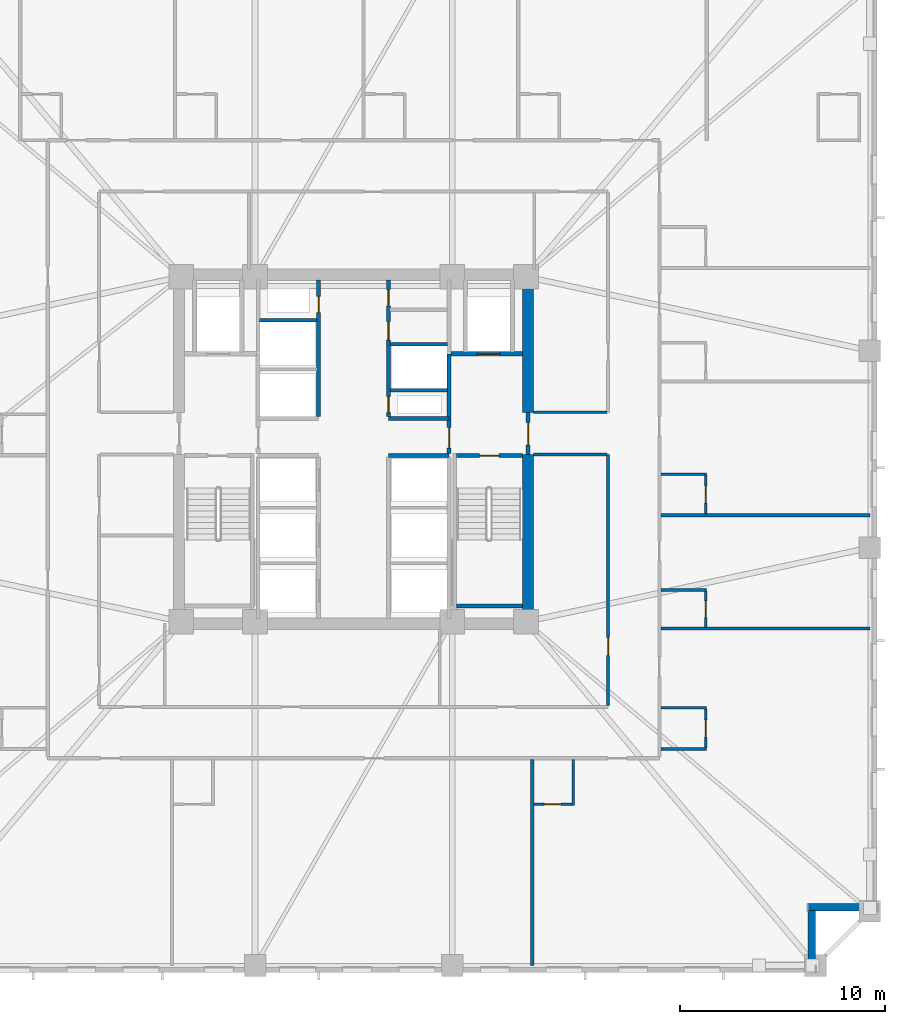
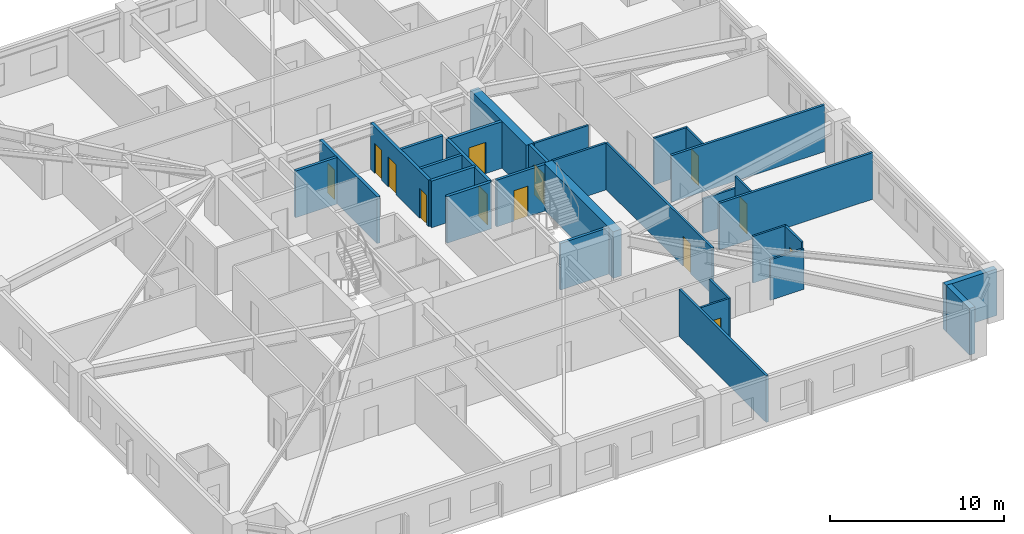
# One storey, part 4 of 11: 31 walls, 13 doors, 13 openings.
"""IFC4 building model written with IfcOpenShell, lengths in metres."""

from ifc_helpers import new_model, si_unit, direction, frame, frame_2d, origin, place, context, subcontext, project, spatial, rectangle, extrude, material, layer, layer_set, type_object, element, fill, save


model = new_model("IFC4")

# Units and contexts
model_context = context("Model", 3, precision=1e-05, world=origin(), true_north=direction((0.0, 1.0)))
body_context = subcontext(model_context, "Body", "Model", "MODEL_VIEW")
ifc_project = project(units=[si_unit("LENGTHUNIT", "METRE"), si_unit("AREAUNIT", "SQUARE_METRE"), si_unit("VOLUMEUNIT", "CUBIC_METRE"), si_unit("PLANEANGLEUNIT", "RADIAN"), si_unit("MASSUNIT", "GRAM", prefix="KILO")], contexts=[model_context])

# Site, building, storey
site_placement = place(None, origin())
site = spatial("IfcSite", under=ifc_project, at=site_placement, CompositionType="ELEMENT")
building_placement = place(site_placement, origin())
building = spatial("IfcBuilding", under=site, at=building_placement, Name="Cairnveth Concourse Tower", CompositionType="ELEMENT")
storey_placement = place(building_placement, frame((0.0, 0.0, 86.5)))
storey = spatial("IfcBuildingStorey", under=building, at=storey_placement, Name="L23", CompositionType="ELEMENT", Elevation=86.5)

# Walls
ifc_material_1 = material(Name="Gypsum Plasterboard Partition", Category="gypsum")
ifc_layer_1 = layer(ifc_material_1, 0.159912109375)
ifc_layer_set_1 = layer_set([ifc_layer_1], Name="Gypsum Plasterboard Partition")
wall_type_1 = type_object("IfcWallType", Name="ACOUSTIC PARTY WALL 180", PredefinedType="PARTITIONING", material=ifc_layer_set_1)
wall_1_placement = place(storey_placement, frame((60.697509765625, 13.844970703125, 0.0), z_axis=(0.0, 0.0, 1.0), x_axis=(0.0, 1.0, 0.0)))
element("IfcWall", 1, at=wall_1_placement, inside=storey, type_object=wall_type_1, Name="Interior Wall IW-L23-064", PredefinedType="PARTITIONING", context=body_context, shape_type="SweptSolid", body=[
    extrude(rectangle(XDim=10.0400390625, YDim=0.159912109375, at=frame_2d((5.02001953125, 0.0))), origin(), (0.0, 0.0, 1.0), 3.280029296875),
])
for number, where, z_axis, x_axis, name in (
    (2, (66.965087890625, 30.262451171875, 0.0), (0.0, 0.0, 1.0), (1.0, 0.0, 0.0), "Interior Wall IW-L23-098"),
    (3, (66.965087890625, 35.78759765625, 0.0), (0.0, 0.0, 1.0), (1.0, 0.0, 0.0), "Interior Wall IW-L23-101"),
):
    element("IfcWall", number, at=place(storey_placement, frame(where, z_axis=z_axis, x_axis=x_axis)), inside=storey, type_object=wall_type_1, Name=name, PredefinedType="PARTITIONING", context=body_context, shape_type="SweptSolid", body=[
        extrude(rectangle(XDim=10.18994140625, YDim=0.159912109375, at=frame_2d((5.094970703125, 0.0))), origin(), (0.0, 0.0, 1.0), 3.280029296875),
    ])
ifc_material_2 = material(Name="Concrete N80 (80 MPa)", Category="concrete")
ifc_layer_2 = layer(ifc_material_2, 0.550048828125)
ifc_layer_set_2 = layer_set([ifc_layer_2], Name="Concrete N80 (80 MPa)")
wall_type_2 = type_object("IfcWallType", Name="CORE SHEAR WALL 550", PredefinedType="SHEAR", material=ifc_layer_set_2)
wall_2_placement = place(storey_placement, frame((60.5, 30.764892578125, 0.0), z_axis=(0.0, 0.0, 1.0), x_axis=(0.0, 1.0, 0.0)))
element("IfcWall", 4, at=wall_2_placement, inside=storey, type_object=wall_type_2, Name="Core East Shear Wall S L23", PredefinedType="SHEAR", context=body_context, shape_type="SweptSolid", body=[
    extrude(rectangle(XDim=7.985107421875, YDim=0.550048828125, at=frame_2d((3.99267578125, 0.0))), origin(), (0.0, 0.0, 1.0), 3.280029296875),
])
wall_3_placement = place(storey_placement, frame((60.5, 40.800048828125, 0.0), z_axis=(0.0, 0.0, 1.0), x_axis=(0.0, 1.0, 0.0)))
element("IfcWall", 5, at=wall_3_placement, inside=storey, type_object=wall_type_2, Name="Core East Shear Wall N L23", PredefinedType="SHEAR", context=body_context, shape_type="SweptSolid", body=[
    extrude(rectangle(XDim=6.43505859375, YDim=0.550048828125, at=frame_2d((3.217529296875, 0.0))), origin(), (0.0, 0.0, 1.0), 3.280029296875),
])
ifc_material_3 = material(Name="Concrete N50 (50 MPa)", Category="concrete")
ifc_layer_3 = layer(ifc_material_3, 0.179931640625)
ifc_layer_set_3 = layer_set([ifc_layer_3], Name="Concrete N50 (50 MPa)")
wall_type_3 = type_object("IfcWallType", Name="FIRE SHAFT WALL 180", PredefinedType="SOLIDWALL", material=ifc_layer_set_3)
wall_4_placement = place(storey_placement, frame((47.425048828125, 45.280029296875, 0.0), z_axis=(0.0, 0.0, 1.0), x_axis=(1.0, 0.0, 0.0)))
element("IfcWall", 6, at=wall_4_placement, inside=storey, type_object=wall_type_3, Name="Interior Wall IW-L23-033", PredefinedType="SOLIDWALL", context=body_context, shape_type="SweptSolid", body=[
    extrude(rectangle(XDim=2.7900390625, YDim=0.179931640625, at=frame_2d((1.39501953125, 0.0))), origin(), (0.0, 0.0, 1.0), 3.280029296875),
])
wall_5_placement = place(storey_placement, frame((53.784912109375, 41.8798828125, 0.0), z_axis=(0.0, 0.0, 1.0), x_axis=(1.0, 0.0, 0.0)))
element("IfcWall", 7, at=wall_5_placement, inside=storey, type_object=wall_type_3, Name="Interior Wall IW-L23-035", PredefinedType="SOLIDWALL", context=body_context, shape_type="SweptSolid", body=[
    extrude(rectangle(XDim=2.780029296875, YDim=0.179931640625, at=frame_2d((1.39013671875, 0.0))), origin(), (0.0, 0.0, 1.0), 3.280029296875),
])
wall_6_placement = place(storey_placement, frame((53.784912109375, 44.1201171875, 0.0), z_axis=(0.0, 0.0, 1.0), x_axis=(1.0, 0.0, 0.0)))
element("IfcWall", 8, at=wall_6_placement, inside=storey, type_object=wall_type_3, Name="Interior Wall IW-L23-036", PredefinedType="SOLIDWALL", context=body_context, shape_type="SweptSolid", body=[
    extrude(rectangle(XDim=2.7900390625, YDim=0.179931640625, at=frame_2d((1.39501953125, 0.0))), origin(), (0.0, 0.0, 1.0), 3.280029296875),
])

# Wall, opening, door
wall_7_placement = place(storey_placement, frame((57.0048828125, 38.68994140625, 0.0), z_axis=(0.0, 0.0, 1.0), x_axis=(1.0, 0.0, 0.0)))
wall_7 = element("IfcWall", 9, at=wall_7_placement, inside=storey, type_object=wall_type_3, Name="Stair ST-2 Shaft Wall NEAR L23", PredefinedType="SOLIDWALL", context=body_context, shape_type="SweptSolid", body=[
    extrude(rectangle(XDim=3.230224609375, YDim=0.179931640625, at=frame_2d((1.615234375, 0.0))), origin(), (0.0, 0.0, 1.0), 3.280029296875),
])
opening_1_placement = place(wall_7_placement, frame((1.139892578125, 0.0, 0.0)))
opening_1 = element("IfcOpeningElement", 10, at=opening_1_placement, cuts=wall_7, Name="Opening ID12", PredefinedType="OPENING", context=body_context, shape_type="SweptSolid", body=[
    extrude(rectangle(XDim=0.949951171875, YDim=2.14990234375, at=frame_2d((0.47509765625, 1.074951171875))), frame((0.0, 0.099853515625, 0.0), z_axis=(0.0, -1.0, 0.0), x_axis=(1.0, 0.0, 0.0)), (0.0, 0.0, 1.0), 0.199951171875),
])
ifc_material_4 = material(Name="Steel Grade 350", Category="steel")
door_type_1 = type_object("IfcDoorType", Name="FIRE STAIR DOOR 950X2150", OperationType="NOTDEFINED", PredefinedType="DOOR", material=ifc_material_4)
door_1_placement = place(opening_1_placement, origin())
door_1 = element("IfcDoor", 11, at=door_1_placement, inside=storey, type_object=door_type_1, Name="Stair ST-2 Fire Door L23", OperationType="SINGLE_SWING_RIGHT", OverallHeight=2.14990234375, OverallWidth=0.949951171875, PredefinedType="DOOR", context=body_context, shape_type="SweptSolid", body=[
    extrude(rectangle(XDim=0.949951171875, YDim=2.14990234375, at=frame_2d((0.47509765625, 1.074951171875))), frame((0.0, 0.02490234375, 0.0), z_axis=(0.0, -1.0, 0.0), x_axis=(1.0, 0.0, 0.0)), (0.0, 0.0, 1.0), 0.050048828125),
])
fill(opening_1, door_1)

# Walls
wall_8_placement = place(storey_placement, frame((57.0048828125, 31.360107421875, 0.0), z_axis=(0.0, 0.0, 1.0), x_axis=(1.0, 0.0, 0.0)))
element("IfcWall", 12, at=wall_8_placement, inside=storey, type_object=wall_type_3, Name="Stair ST-2 Shaft Wall FAR L23", PredefinedType="SOLIDWALL", context=body_context, shape_type="SweptSolid", body=[
    extrude(rectangle(XDim=3.230224609375, YDim=0.179931640625, at=frame_2d((1.615234375, 0.0))), origin(), (0.0, 0.0, 1.0), 3.280029296875),
])
ifc_layer_4 = layer(ifc_material_3, 0.199951171875)
ifc_layer_set_4 = layer_set([ifc_layer_4], Name="Concrete N50 (50 MPa)")
wall_type_4 = type_object("IfcWallType", Name="FIRE SHAFT WALL 200", PredefinedType="SOLIDWALL", material=ifc_layer_set_4)
for number, where, z_axis, x_axis, name in (
    (13, (53.699951171875, 38.699951171875, 0.0), (0.0, 0.0, 1.0), (1.0, 0.0, 0.0), "Interior Wall IW-L23-009"),
    (14, (53.699951171875, 40.5, 0.0), (0.0, 0.0, 1.0), (1.0, 0.0, 0.0), "Interior Wall IW-L23-010"),
):
    element("IfcWall", number, at=place(storey_placement, frame(where, z_axis=z_axis, x_axis=x_axis)), inside=storey, type_object=wall_type_4, Name=name, PredefinedType="SOLIDWALL", context=body_context, shape_type="SweptSolid", body=[
        extrude(rectangle(XDim=2.949951171875, YDim=0.199951171875, at=frame_2d((1.47509765625, 0.0))), origin(), (0.0, 0.0, 1.0), 3.280029296875),
    ])

# Wall, opening, door
wall_9_placement = place(storey_placement, frame((50.300048828125, 40.5849609375, 0.0), z_axis=(0.0, 0.0, 1.0), x_axis=(0.0, 1.0, 0.0)))
wall_9 = element("IfcWall", 15, at=wall_9_placement, inside=storey, type_object=wall_type_4, Name="Interior Wall IW-L23-013", PredefinedType="SOLIDWALL", context=body_context, shape_type="SweptSolid", body=[
    extrude(rectangle(XDim=6.655029296875, YDim=0.199951171875, at=frame_2d((3.32763671875, 0.0))), origin(), (0.0, 0.0, 1.0), 3.280029296875),
])
opening_2_placement = place(wall_9_placement, frame((5.06494140625, 0.0, 0.0)))
opening_2 = element("IfcOpeningElement", 16, at=opening_2_placement, cuts=wall_9, Name="Opening ID24", PredefinedType="OPENING", context=body_context, shape_type="SweptSolid", body=[
    extrude(rectangle(XDim=0.800048828125, YDim=2.080078125, at=frame_2d((0.39990234375, 1.0400390625))), frame((0.0, 0.10986328125, 0.0), z_axis=(0.0, -1.0, 0.0), x_axis=(1.0, 0.0, 0.0)), (0.0, 0.0, 1.0), 0.219970703125),
])
door_type_2 = type_object("IfcDoorType", Name="RISER ACCESS DOOR 800X2100", OperationType="NOTDEFINED", PredefinedType="DOOR", material=ifc_material_4)
door_2_placement = place(opening_2_placement, origin())
door_2 = element("IfcDoor", 17, at=door_2_placement, inside=storey, type_object=door_type_2, Name="NW Electrical Riser Access Door L23", OperationType="SINGLE_SWING_RIGHT", OverallHeight=2.080078125, OverallWidth=0.800048828125, PredefinedType="DOOR", context=body_context, shape_type="SweptSolid", body=[
    extrude(rectangle(XDim=0.800048828125, YDim=2.080078125, at=frame_2d((0.39990234375, 1.0400390625))), frame((0.0, 0.02490234375, 0.0), z_axis=(0.0, -1.0, 0.0), x_axis=(1.0, 0.0, 0.0)), (0.0, 0.0, 1.0), 0.050048828125),
])
fill(opening_2, door_2)

# Wall, openings, doors
wall_10_placement = place(storey_placement, frame((53.699951171875, 40.5849609375, 0.0), z_axis=(0.0, 0.0, 1.0), x_axis=(0.0, 1.0, 0.0)))
wall_10 = element("IfcWall", 18, at=wall_10_placement, inside=storey, type_object=wall_type_4, Name="Interior Wall IW-L23-014", PredefinedType="SOLIDWALL", context=body_context, shape_type="SweptSolid", body=[
    extrude(rectangle(XDim=6.655029296875, YDim=0.199951171875, at=frame_2d((3.32763671875, 0.0))), origin(), (0.0, 0.0, 1.0), 3.280029296875),
])
opening_3_placement = place(wall_10_placement, frame((0.195068359375, 0.0, 0.0)))
opening_3 = element("IfcOpeningElement", 19, at=opening_3_placement, cuts=wall_10, Name="Opening ID24", PredefinedType="OPENING", context=body_context, shape_type="SweptSolid", body=[
    extrude(rectangle(XDim=0.800048828125, YDim=2.080078125, at=frame_2d((0.39990234375, 1.0400390625))), frame((0.0, 0.10986328125, 0.0), z_axis=(0.0, -1.0, 0.0), x_axis=(1.0, 0.0, 0.0)), (0.0, 0.0, 1.0), 0.219970703125),
])
opening_4_placement = place(wall_10_placement, frame((3.735107421875, 0.0, 0.0)))
opening_4 = element("IfcOpeningElement", 20, at=opening_4_placement, cuts=wall_10, Name="Opening ID26", PredefinedType="OPENING", context=body_context, shape_type="SweptSolid", body=[
    extrude(rectangle(XDim=0.89990234375, YDim=2.1201171875, at=frame_2d((0.449951171875, 1.06005859375))), frame((0.0, 0.10986328125, 0.0), z_axis=(0.0, -1.0, 0.0), x_axis=(1.0, 0.0, 0.0)), (0.0, 0.0, 1.0), 0.219970703125),
])
opening_5_placement = place(wall_10_placement, frame((5.39501953125, 0.0, 0.0)))
opening_5 = element("IfcOpeningElement", 21, at=opening_5_placement, cuts=wall_10, Name="Opening ID23", PredefinedType="OPENING", context=body_context, shape_type="SweptSolid", body=[
    extrude(rectangle(XDim=0.800048828125, YDim=2.10009765625, at=frame_2d((0.39990234375, 1.050048828125))), frame((0.0, 0.10986328125, 0.0), z_axis=(0.0, -1.0, 0.0), x_axis=(1.0, 0.0, 0.0)), (0.0, 0.0, 1.0), 0.219970703125),
])
door_type_3 = type_object("IfcDoorType", Name="CORE SERVICE DOOR 800X2100", OperationType="NOTDEFINED", PredefinedType="DOOR", material=ifc_material_4)
door_3_placement = place(opening_5_placement, origin())
door_3 = element("IfcDoor", 22, at=door_3_placement, inside=storey, type_object=door_type_3, Name="Core NE Cleaners Door L23", OperationType="SINGLE_SWING_LEFT", OverallHeight=2.10009765625, OverallWidth=0.800048828125, PredefinedType="DOOR", context=body_context, shape_type="SweptSolid", body=[
    extrude(rectangle(XDim=0.800048828125, YDim=2.10009765625, at=frame_2d((0.39990234375, 1.050048828125))), frame((0.0, 0.02490234375, 0.0), z_axis=(0.0, -1.0, 0.0), x_axis=(1.0, 0.0, 0.0)), (0.0, 0.0, 1.0), 0.050048828125),
])
fill(opening_5, door_3)
door_type_4 = type_object("IfcDoorType", Name="CORE TOILET FIRE DOOR 900X2120", OperationType="NOTDEFINED", PredefinedType="DOOR", material=ifc_material_4)
door_4_placement = place(opening_4_placement, origin())
door_4 = element("IfcDoor", 23, at=door_4_placement, inside=storey, type_object=door_type_4, Name="Core NE Unisex WC Door L23", OperationType="SINGLE_SWING_RIGHT", OverallHeight=2.1201171875, OverallWidth=0.89990234375, PredefinedType="DOOR", context=body_context, shape_type="SweptSolid", body=[
    extrude(rectangle(XDim=0.89990234375, YDim=2.1201171875, at=frame_2d((0.449951171875, 1.06005859375))), frame((0.0, 0.02490234375, 0.0), z_axis=(0.0, -1.0, 0.0), x_axis=(1.0, 0.0, 0.0)), (0.0, 0.0, 1.0), 0.050048828125),
])
fill(opening_4, door_4)
door_5_placement = place(opening_3_placement, origin())
door_5 = element("IfcDoor", 24, at=door_5_placement, inside=storey, type_object=door_type_2, Name="Hydraulic Riser Door L23", OperationType="SINGLE_SWING_LEFT", OverallHeight=2.080078125, OverallWidth=0.800048828125, PredefinedType="DOOR", context=body_context, shape_type="SweptSolid", body=[
    extrude(rectangle(XDim=0.800048828125, YDim=2.080078125, at=frame_2d((0.39990234375, 1.0400390625))), frame((0.0, 0.02490234375, 0.0), z_axis=(0.0, -1.0, 0.0), x_axis=(1.0, 0.0, 0.0)), (0.0, 0.0, 1.0), 0.050048828125),
])
fill(opening_3, door_5)

# Wall, opening, door
wall_11_placement = place(storey_placement, frame((60.5, 38.75, 0.0), z_axis=(0.0, 0.0, 1.0), x_axis=(0.0, 1.0, 0.0)))
wall_11 = element("IfcWall", 25, at=wall_11_placement, inside=storey, type_object=wall_type_4, Name="Interior Wall IW-L23-020", PredefinedType="SOLIDWALL", context=body_context, shape_type="SweptSolid", body=[
    extrude(rectangle(XDim=2.050048828125, YDim=0.199951171875, at=frame_2d((1.02490234375, 0.0))), origin(), (0.0, 0.0, 1.0), 3.280029296875),
])
opening_6_placement = place(wall_11_placement, frame((0.449951171875, 0.0, 0.0)))
opening_6 = element("IfcOpeningElement", 26, at=opening_6_placement, cuts=wall_11, Name="Opening ID06", PredefinedType="OPENING", context=body_context, shape_type="SweptSolid", body=[
    extrude(rectangle(XDim=1.10009765625, YDim=2.14990234375, at=frame_2d((0.550048828125, 1.074951171875))), frame((0.0, 0.10986328125, 0.0), z_axis=(0.0, -1.0, 0.0), x_axis=(1.0, 0.0, 0.0)), (0.0, 0.0, 1.0), 0.219970703125),
])
door_type_5 = type_object("IfcDoorType", Name="FIRE CORRIDOR DOOR 1100X2150", OperationType="NOTDEFINED", PredefinedType="DOOR", material=ifc_material_4)
door_6_placement = place(opening_6_placement, origin())
door_6 = element("IfcDoor", 27, at=door_6_placement, inside=storey, type_object=door_type_5, Name="East Wing to FF Lobby Door L23", OperationType="SINGLE_SWING_RIGHT", OverallHeight=2.14990234375, OverallWidth=1.10009765625, PredefinedType="DOOR", context=body_context, shape_type="SweptSolid", body=[
    extrude(rectangle(XDim=1.10009765625, YDim=2.14990234375, at=frame_2d((0.550048828125, 1.074951171875))), frame((0.0, 0.02490234375, 0.0), z_axis=(0.0, -1.0, 0.0), x_axis=(1.0, 0.0, 0.0)), (0.0, 0.0, 1.0), 0.050048828125),
])
fill(opening_6, door_6)

wall_12_placement = place(storey_placement, frame((56.64990234375, 38.784912109375, 0.0), z_axis=(0.0, 0.0, 1.0), x_axis=(0.0, 1.0, 0.0)))
wall_12 = element("IfcWall", 28, at=wall_12_placement, inside=storey, type_object=wall_type_4, Name="Interior Wall IW-L23-021", PredefinedType="SOLIDWALL", context=body_context, shape_type="SweptSolid", body=[
    extrude(rectangle(XDim=4.864990234375, YDim=0.199951171875, at=frame_2d((2.4326171875, 0.0))), origin(), (0.0, 0.0, 1.0), 3.280029296875),
])
opening_7_placement = place(wall_12_placement, frame((0.264892578125, 0.0, 0.0)))
opening_7 = element("IfcOpeningElement", 29, at=opening_7_placement, cuts=wall_12, Name="Opening ID07", PredefinedType="OPENING", context=body_context, shape_type="SweptSolid", body=[
    extrude(rectangle(XDim=1.0, YDim=2.14990234375, at=frame_2d((0.5, 1.074951171875))), frame((0.0, 0.10986328125, 0.0), z_axis=(0.0, -1.0, 0.0), x_axis=(1.0, 0.0, 0.0)), (0.0, 0.0, 1.0), 0.219970703125),
])
door_type_6 = type_object("IfcDoorType", Name="FIRE CORRIDOR DOOR 1000X2150", OperationType="NOTDEFINED", PredefinedType="DOOR", material=ifc_material_4)
door_7_placement = place(opening_7_placement, origin())
door_7 = element("IfcDoor", 30, at=door_7_placement, inside=storey, type_object=door_type_6, Name="FF Lobby East to Lift Lobby Door L23", OperationType="SINGLE_SWING_LEFT", OverallHeight=2.14990234375, OverallWidth=1.0, PredefinedType="DOOR", context=body_context, shape_type="SweptSolid", body=[
    extrude(rectangle(XDim=1.0, YDim=2.14990234375, at=frame_2d((0.5, 1.074951171875))), frame((0.0, 0.02490234375, 0.0), z_axis=(0.0, -1.0, 0.0), x_axis=(1.0, 0.0, 0.0)), (0.0, 0.0, 1.0), 0.050048828125),
])
fill(opening_7, door_7)

wall_13_placement = place(storey_placement, frame((56.735107421875, 43.64990234375, 0.0), z_axis=(0.0, 0.0, 1.0), x_axis=(1.0, 0.0, 0.0)))
wall_13 = element("IfcWall", 31, at=wall_13_placement, inside=storey, type_object=wall_type_4, Name="Interior Wall IW-L23-022", PredefinedType="SOLIDWALL", context=body_context, shape_type="SweptSolid", body=[
    extrude(rectangle(XDim=3.5048828125, YDim=0.199951171875, at=frame_2d((1.75244140625, 0.0))), origin(), (0.0, 0.0, 1.0), 3.280029296875),
])
opening_8_placement = place(wall_13_placement, frame((1.294921875, 0.0, 0.0)))
opening_8 = element("IfcOpeningElement", 32, at=opening_8_placement, cuts=wall_13, Name="Opening LD-1", PredefinedType="OPENING", context=body_context, shape_type="SweptSolid", body=[
    extrude(rectangle(XDim=1.10009765625, YDim=2.199951171875, at=frame_2d((0.550048828125, 1.10009765625))), frame((0.0, 0.10986328125, 0.0), z_axis=(0.0, -1.0, 0.0), x_axis=(1.0, 0.0, 0.0)), (0.0, 0.0, 1.0), 0.219970703125),
])
ifc_material_5 = material(Name="Architectural Bronze Anodised Aluminium 6063-T6", Category="aluminium")
door_type_7 = type_object("IfcDoorType", Name="LIFT LANDING DOOR 1100X2200", OperationType="SLIDING_TO_LEFT", PredefinedType="DOOR", material=ifc_material_5)
door_8_placement = place(opening_8_placement, origin())
door_8 = element("IfcDoor", 33, at=door_8_placement, inside=storey, type_object=door_type_7, Name="Lift FFL2 Landing Door L23", OperationType="SLIDING_TO_LEFT", OverallHeight=2.199951171875, OverallWidth=1.10009765625, PredefinedType="DOOR", context=body_context, shape_type="SweptSolid", body=[
    extrude(rectangle(XDim=1.10009765625, YDim=2.199951171875, at=frame_2d((0.550048828125, 1.10009765625))), frame((0.0, 0.02490234375, 0.0), z_axis=(0.0, -1.0, 0.0), x_axis=(1.0, 0.0, 0.0)), (0.0, 0.0, 1.0), 0.050048828125),
])
fill(opening_8, door_8)

ifc_layer_5 = layer(ifc_material_1, 0.139892578125)
ifc_layer_set_5 = layer_set([ifc_layer_5], Name="Gypsum Plasterboard Partition")
wall_type_5 = type_object("IfcWallType", Name="GYPSUM STUD PARTITION 140", PredefinedType="PARTITIONING", material=ifc_layer_set_5)
wall_14_placement = place(storey_placement, frame((64.39990234375, 26.5048828125, 0.0), z_axis=(0.0, 0.0, 1.0), x_axis=(0.0, 1.0, 0.0)))
wall_14 = element("IfcWall", 34, at=wall_14_placement, inside=storey, type_object=wall_type_5, Name="Interior Wall IW-L23-048", PredefinedType="PARTITIONING", context=body_context, shape_type="SweptSolid", body=[
    extrude(rectangle(XDim=12.2451171875, YDim=0.139892578125, at=frame_2d((6.12255859375, 0.0))), origin(), (0.0, 0.0, 1.0), 3.280029296875),
])
opening_9_placement = place(wall_14_placement, frame((2.445068359375, 0.0, 0.0)))
opening_9 = element("IfcOpeningElement", 35, at=opening_9_placement, cuts=wall_14, Name="Opening ID18", PredefinedType="OPENING", context=body_context, shape_type="SweptSolid", body=[
    extrude(rectangle(XDim=0.8798828125, YDim=2.10009765625, at=frame_2d((0.43994140625, 1.050048828125))), frame((0.0, 0.079833984375, 0.0), z_axis=(0.0, -1.0, 0.0), x_axis=(1.0, 0.0, 0.0)), (0.0, 0.0, 1.0), 0.159912109375),
])
ifc_material_6 = material(Name="Solid Core Hardwood Timber Leaf", Category="wood")
door_type_8 = type_object("IfcDoorType", Name="INTERIOR SINGLE DOOR 880X2100", OperationType="NOTDEFINED", PredefinedType="DOOR", material=ifc_material_6)
door_9_placement = place(opening_9_placement, origin())
door_9 = element("IfcDoor", 36, at=door_9_placement, inside=storey, type_object=door_type_8, Name="Interior Door DR-L23-023", OperationType="SINGLE_SWING_LEFT", OverallHeight=2.10009765625, OverallWidth=0.8798828125, PredefinedType="DOOR", context=body_context, shape_type="SweptSolid", body=[
    extrude(rectangle(XDim=0.8798828125, YDim=2.10009765625, at=frame_2d((0.43994140625, 1.050048828125))), frame((0.0, 0.02490234375, 0.0), z_axis=(0.0, -1.0, 0.0), x_axis=(1.0, 0.0, 0.0)), (0.0, 0.0, 1.0), 0.050048828125),
])
fill(opening_9, door_9)

# Walls
for number, where, z_axis, x_axis, name in (
    (37, (60.760009765625, 38.75, 0.0), (0.0, 0.0, 1.0), (1.0, 0.0, 0.0), "Interior Wall IW-L23-050"),
    (38, (60.760009765625, 40.800048828125, 0.0), (0.0, 0.0, 1.0), (1.0, 0.0, 0.0), "Interior Wall IW-L23-051"),
):
    element("IfcWall", number, at=place(storey_placement, frame(where, z_axis=z_axis, x_axis=x_axis)), inside=storey, type_object=wall_type_5, Name=name, PredefinedType="PARTITIONING", context=body_context, shape_type="SweptSolid", body=[
        extrude(rectangle(XDim=3.5849609375, YDim=0.139892578125, at=frame_2d((1.79248046875, 0.0))), origin(), (0.0, 0.0, 1.0), 3.280029296875),
    ])
ifc_layer_6 = layer(ifc_material_1, 0.1298828125)
ifc_layer_set_6 = layer_set([ifc_layer_6], Name="Gypsum Plasterboard Partition")
wall_type_6 = type_object("IfcWallType", Name="WET AREA PARTITION 140", PredefinedType="PLUMBINGWALL", material=ifc_layer_set_6)
wall_15_placement = place(storey_placement, frame((62.697509765625, 21.64990234375, 0.0), z_axis=(0.0, 0.0, 1.0), x_axis=(0.0, 1.0, 0.0)))
element("IfcWall", 39, at=wall_15_placement, inside=storey, type_object=wall_type_6, Name="Interior Wall IW-L23-065", PredefinedType="PLUMBINGWALL", context=body_context, shape_type="SweptSolid", body=[
    extrude(rectangle(XDim=2.235107421875, YDim=0.1298828125, at=frame_2d((1.11767578125, 0.0))), origin(), (0.0, 0.0, 1.0), 3.280029296875),
])

# Wall, opening, door
wall_16_placement = place(storey_placement, frame((60.762451171875, 21.699951171875, 0.0), z_axis=(0.0, 0.0, 1.0), x_axis=(1.0, 0.0, 0.0)))
wall_16 = element("IfcWall", 40, at=wall_16_placement, inside=storey, type_object=wall_type_6, Name="Interior Wall IW-L23-066", PredefinedType="PLUMBINGWALL", context=body_context, shape_type="SweptSolid", body=[
    extrude(rectangle(XDim=1.885009765625, YDim=0.1298828125, at=frame_2d((0.9423828125, 0.0))), origin(), (0.0, 0.0, 1.0), 3.280029296875),
])
opening_10_placement = place(wall_16_placement, frame((0.52490234375, 0.0, 0.0)))
opening_10 = element("IfcOpeningElement", 41, at=opening_10_placement, cuts=wall_16, Name="Opening ID22", PredefinedType="OPENING", context=body_context, shape_type="SweptSolid", body=[
    extrude(rectangle(XDim=0.820068359375, YDim=2.10009765625, at=frame_2d((0.41015625, 1.050048828125))), frame((0.0, 0.074951171875, 0.0), z_axis=(0.0, -1.0, 0.0), x_axis=(1.0, 0.0, 0.0)), (0.0, 0.0, 1.0), 0.14990234375),
])
door_type_9 = type_object("IfcDoorType", Name="INTERIOR WC DOOR 820X2100", OperationType="NOTDEFINED", PredefinedType="DOOR", material=ifc_material_6)
door_10_placement = place(opening_10_placement, origin())
door_10 = element("IfcDoor", 42, at=door_10_placement, inside=storey, type_object=door_type_9, Name="En-Suite Door L23-S3", OperationType="SINGLE_SWING_LEFT", OverallHeight=2.10009765625, OverallWidth=0.820068359375, PredefinedType="DOOR", context=body_context, shape_type="SweptSolid", body=[
    extrude(rectangle(XDim=0.820068359375, YDim=2.10009765625, at=frame_2d((0.41015625, 1.050048828125))), frame((0.0, 0.02490234375, 0.0), z_axis=(0.0, -1.0, 0.0), x_axis=(1.0, 0.0, 0.0)), (0.0, 0.0, 1.0), 0.050048828125),
])
fill(opening_10, door_10)

# Walls
wall_17_placement = place(storey_placement, frame((66.965087890625, 24.39990234375, 0.0), z_axis=(0.0, 0.0, 1.0), x_axis=(1.0, 0.0, 0.0)))
element("IfcWall", 43, at=wall_17_placement, inside=storey, type_object=wall_type_6, Name="Interior Wall IW-L23-095", PredefinedType="PLUMBINGWALL", context=body_context, shape_type="SweptSolid", body=[
    extrude(rectangle(XDim=2.23486328125, YDim=0.1298828125, at=frame_2d((1.117431640625, 0.0))), origin(), (0.0, 0.0, 1.0), 2.84912109375),
])
wall_18_placement = place(storey_placement, frame((66.965087890625, 26.39990234375, 0.0), z_axis=(0.0, 0.0, 1.0), x_axis=(1.0, 0.0, 0.0)))
element("IfcWall", 44, at=wall_18_placement, inside=storey, type_object=wall_type_6, Name="Interior Wall IW-L23-096", PredefinedType="PLUMBINGWALL", context=body_context, shape_type="SweptSolid", body=[
    extrude(rectangle(XDim=2.23486328125, YDim=0.1298828125, at=frame_2d((1.117431640625, 0.0))), origin(), (0.0, 0.0, 1.0), 3.280029296875),
])

# Wall, opening, door
wall_19_placement = place(storey_placement, frame((69.14990234375, 24.449951171875, 0.0), z_axis=(0.0, 0.0, 1.0), x_axis=(0.0, 1.0, 0.0)))
wall_19 = element("IfcWall", 45, at=wall_19_placement, inside=storey, type_object=wall_type_6, Name="Interior Wall IW-L23-097", PredefinedType="PLUMBINGWALL", context=body_context, shape_type="SweptSolid", body=[
    extrude(rectangle(XDim=1.900146484375, YDim=0.1298828125, at=frame_2d((0.9501953125, 0.0))), origin(), (0.0, 0.0, 1.0), 3.280029296875),
])
opening_11_placement = place(wall_19_placement, frame((0.5400390625, 0.0, 0.0)))
opening_11 = element("IfcOpeningElement", 46, at=opening_11_placement, cuts=wall_19, Name="Opening ID22", PredefinedType="OPENING", context=body_context, shape_type="SweptSolid", body=[
    extrude(rectangle(XDim=0.820068359375, YDim=2.10009765625, at=frame_2d((0.41015625, 1.050048828125))), frame((0.0, 0.074951171875, 0.0), z_axis=(0.0, -1.0, 0.0), x_axis=(1.0, 0.0, 0.0)), (0.0, 0.0, 1.0), 0.14990234375),
])
door_11_placement = place(opening_11_placement, origin())
door_11 = element("IfcDoor", 47, at=door_11_placement, inside=storey, type_object=door_type_9, Name="En-Suite Door L23-E1", OperationType="SINGLE_SWING_LEFT", OverallHeight=2.10009765625, OverallWidth=0.820068359375, PredefinedType="DOOR", context=body_context, shape_type="SweptSolid", body=[
    extrude(rectangle(XDim=0.820068359375, YDim=2.10009765625, at=frame_2d((0.41015625, 1.050048828125))), frame((0.0, 0.02490234375, 0.0), z_axis=(0.0, -1.0, 0.0), x_axis=(1.0, 0.0, 0.0)), (0.0, 0.0, 1.0), 0.050048828125),
])
fill(opening_11, door_11)

# Wall
wall_20_placement = place(storey_placement, frame((66.965087890625, 32.14111328125, 0.0), z_axis=(0.0, 0.0, 1.0), x_axis=(1.0, 0.0, 0.0)))
element("IfcWall", 48, at=wall_20_placement, inside=storey, type_object=wall_type_6, Name="Interior Wall IW-L23-099", PredefinedType="PLUMBINGWALL", context=body_context, shape_type="SweptSolid", body=[
    extrude(rectangle(XDim=2.23486328125, YDim=0.1298828125, at=frame_2d((1.117431640625, 0.0))), origin(), (0.0, 0.0, 1.0), 2.43896484375),
])

# Wall, opening, door
wall_21_placement = place(storey_placement, frame((69.14990234375, 30.327392578125, 0.0), z_axis=(0.0, 0.0, 1.0), x_axis=(0.0, 1.0, 0.0)))
wall_21 = element("IfcWall", 49, at=wall_21_placement, inside=storey, type_object=wall_type_6, Name="Interior Wall IW-L23-100", PredefinedType="PLUMBINGWALL", context=body_context, shape_type="SweptSolid", body=[
    extrude(rectangle(XDim=1.763671875, YDim=0.1298828125, at=frame_2d((0.8818359375, 0.0))), origin(), (0.0, 0.0, 1.0), 3.280029296875),
])
opening_12_placement = place(wall_21_placement, frame((0.464111328125, 0.0, 0.0)))
opening_12 = element("IfcOpeningElement", 50, at=opening_12_placement, cuts=wall_21, Name="Opening ID22", PredefinedType="OPENING", context=body_context, shape_type="SweptSolid", body=[
    extrude(rectangle(XDim=0.820068359375, YDim=2.10009765625, at=frame_2d((0.41015625, 1.050048828125))), frame((0.0, 0.074951171875, 0.0), z_axis=(0.0, -1.0, 0.0), x_axis=(1.0, 0.0, 0.0)), (0.0, 0.0, 1.0), 0.14990234375),
])
door_12_placement = place(opening_12_placement, origin())
door_12 = element("IfcDoor", 51, at=door_12_placement, inside=storey, type_object=door_type_9, Name="En-Suite Door L23-E2", OperationType="SINGLE_SWING_LEFT", OverallHeight=2.10009765625, OverallWidth=0.820068359375, PredefinedType="DOOR", context=body_context, shape_type="SweptSolid", body=[
    extrude(rectangle(XDim=0.820068359375, YDim=2.10009765625, at=frame_2d((0.41015625, 1.050048828125))), frame((0.0, 0.02490234375, 0.0), z_axis=(0.0, -1.0, 0.0), x_axis=(1.0, 0.0, 0.0)), (0.0, 0.0, 1.0), 0.050048828125),
])
fill(opening_12, door_12)

# Wall
wall_22_placement = place(storey_placement, frame((66.965087890625, 37.78759765625, 0.0), z_axis=(0.0, 0.0, 1.0), x_axis=(1.0, 0.0, 0.0)))
element("IfcWall", 52, at=wall_22_placement, inside=storey, type_object=wall_type_6, Name="Interior Wall IW-L23-102", PredefinedType="PLUMBINGWALL", context=body_context, shape_type="SweptSolid", body=[
    extrude(rectangle(XDim=2.23486328125, YDim=0.1298828125, at=frame_2d((1.117431640625, 0.0))), origin(), (0.0, 0.0, 1.0), 3.280029296875),
])

# Wall, opening, door
wall_23_placement = place(storey_placement, frame((69.14990234375, 35.8525390625, 0.0), z_axis=(0.0, 0.0, 1.0), x_axis=(0.0, 1.0, 0.0)))
wall_23 = element("IfcWall", 53, at=wall_23_placement, inside=storey, type_object=wall_type_6, Name="Interior Wall IW-L23-103", PredefinedType="PLUMBINGWALL", context=body_context, shape_type="SweptSolid", body=[
    extrude(rectangle(XDim=1.885009765625, YDim=0.1298828125, at=frame_2d((0.9423828125, 0.0))), origin(), (0.0, 0.0, 1.0), 3.280029296875),
])
opening_13_placement = place(wall_23_placement, frame((0.52490234375, 0.0, 0.0)))
opening_13 = element("IfcOpeningElement", 54, at=opening_13_placement, cuts=wall_23, Name="Opening ID22", PredefinedType="OPENING", context=body_context, shape_type="SweptSolid", body=[
    extrude(rectangle(XDim=0.820068359375, YDim=2.10009765625, at=frame_2d((0.41015625, 1.050048828125))), frame((0.0, 0.074951171875, 0.0), z_axis=(0.0, -1.0, 0.0), x_axis=(1.0, 0.0, 0.0)), (0.0, 0.0, 1.0), 0.14990234375),
])
door_13_placement = place(opening_13_placement, origin())
door_13 = element("IfcDoor", 55, at=door_13_placement, inside=storey, type_object=door_type_9, Name="En-Suite Door L23-E3", OperationType="SINGLE_SWING_LEFT", OverallHeight=2.10009765625, OverallWidth=0.820068359375, PredefinedType="DOOR", context=body_context, shape_type="SweptSolid", body=[
    extrude(rectangle(XDim=0.820068359375, YDim=2.10009765625, at=frame_2d((0.41015625, 1.050048828125))), frame((0.0, 0.02490234375, 0.0), z_axis=(0.0, -1.0, 0.0), x_axis=(1.0, 0.0, 0.0)), (0.0, 0.0, 1.0), 0.050048828125),
])
fill(opening_13, door_13)

# Walls
ifc_material_7 = material(Name="Hawthorn Red-Ochre Fired Clay Brick Masonry", Category="masonry")
ifc_layer_7 = layer(ifc_material_7, 0.360107421875)
ifc_layer_set_7 = layer_set([ifc_layer_7], Name="Hawthorn Red-Ochre Fired Clay Brick Masonry")
wall_type_7 = type_object("IfcWallType", Name="ZONE 1 BRICK PIER SPANDREL WALL 360", PredefinedType="SOLIDWALL", material=ifc_layer_set_7)
wall_24_placement = place(storey_placement, frame((77.5, 16.679931640625, 0.0), z_axis=(0.0, 0.0, 1.0), x_axis=(-1.0, 0.0, 0.0)))
element("IfcWall", 56, at=wall_24_placement, inside=storey, type_object=wall_type_7, Name="Exterior Wall EW-L23-S04", PredefinedType="SOLIDWALL", context=body_context, shape_type="SweptSolid", body=[
    extrude(rectangle(XDim=3.360107421875, YDim=0.360107421875, at=frame_2d((1.68017578125, 0.0))), origin(), (0.0, 0.0, 1.0), 3.280029296875),
])
wall_25_placement = place(storey_placement, frame((74.320068359375, 16.52197265625, 0.0), z_axis=(0.0, 0.0, 1.0), x_axis=(0.0, -1.0, 0.0)))
element("IfcWall", 57, at=wall_25_placement, inside=storey, type_object=wall_type_7, Name="Exterior Wall EW-L23-S05", PredefinedType="SOLIDWALL", context=body_context, shape_type="SweptSolid", body=[
    extrude(rectangle(XDim=2.68408203125, YDim=0.360107421875, at=frame_2d((1.342041015625, 0.0))), origin(), (0.0, 0.0, 1.0), 3.280029296875),
])

save(model, "model.ifc")
